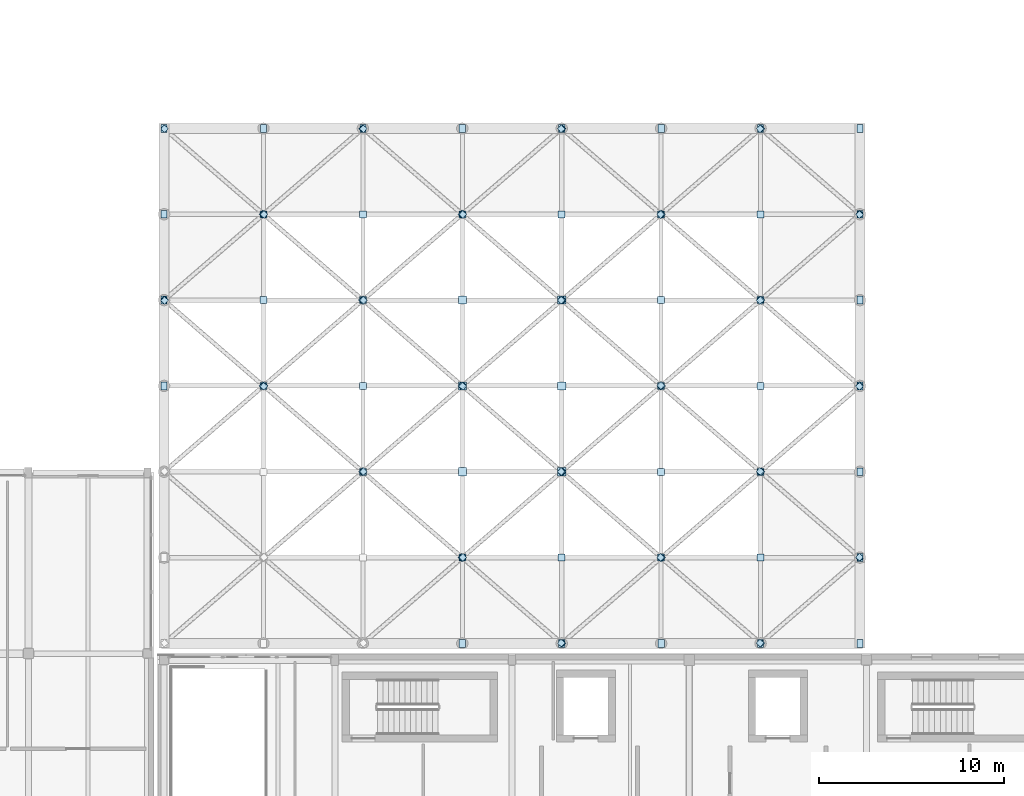
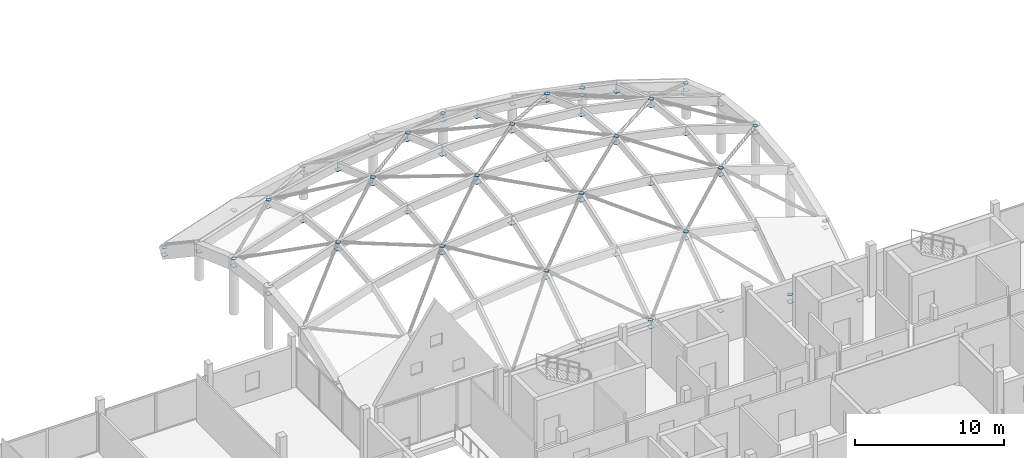
# One storey, part 21 of 41: 123 plates.
"""IFC4 building model written with IfcOpenShell, lengths in metres."""

from ifc_helpers import new_model, si_unit, direction, frame, origin, origin_2d, place, context, subcontext, project, spatial, rectangle, extrude, material, layer, layer_set, type_object, element, save


model = new_model("IFC4")

# Units and contexts
model_context = context("Model", 3, precision=1e-05, world=origin(), true_north=direction((0.0, 1.0)))
body_context = subcontext(model_context, "Body", "Model", "MODEL_VIEW")
ifc_project = project(units=[si_unit("LENGTHUNIT", "METRE"), si_unit("AREAUNIT", "SQUARE_METRE"), si_unit("VOLUMEUNIT", "CUBIC_METRE"), si_unit("PLANEANGLEUNIT", "RADIAN"), si_unit("MASSUNIT", "GRAM", prefix="KILO")], contexts=[model_context])

# Site, building, storey
site_placement = place(None, origin())
site = spatial("IfcSite", under=ifc_project, at=site_placement, CompositionType="ELEMENT")
building_placement = place(site_placement, origin())
building = spatial("IfcBuilding", under=site, at=building_placement, Name="Birchvale Park Specialist Clinic", CompositionType="ELEMENT")
storey_placement = place(building_placement, frame((0.0, 0.0, 9.60009765625)))
storey = spatial("IfcBuildingStorey", under=building, at=storey_placement, Name="L02", CompositionType="ELEMENT", Elevation=9.60009765625)

# Plates
ifc_material = material(Name="Steel ASTM A572 Grade 50", Category="steel")
ifc_layer_1 = layer(ifc_material, 0.02392578125)
ifc_layer_set_1 = layer_set([ifc_layer_1], Name="Steel ASTM A572 Grade 50")
plate_type_1 = type_object("IfcPlateType", Name="PLT-EC1", PredefinedType="USERDEFINED", material=ifc_layer_set_1)
for number, where, z_axis, x_axis, name in (
    (1, (57.510498046875, 49.078125, 6.671630859375), (0.0, 0.0, 1.0), (0.756881000713, 0.653552714599, 0.0), "V1 gridshell tube end cap 3.2"),
    (2, (57.510498046875, 49.121826171875, 6.671630859375), (0.0, 0.0, 1.0), (-0.756881000713, 0.653552714599, 0.0), "V1 gridshell tube end cap 4.1"),
    (3, (52.17529296875, 53.728271484375, 4.4111328125), (0.0, 0.0, 1.0), (-0.756881000713, 0.653552714599, 0.0), "V1 gridshell tube end cap 4.2"),
    (4, (52.176513671875, 53.77294921875, 4.401123046875), (0.0, 0.0, 1.0), (0.756881000713, 0.653552714599, 0.0), "V1 gridshell tube end cap 5.1"),
    (5, (57.50927734375, 58.377197265625, 4.523681640625), (0.0, 0.0, 1.0), (0.756881000713, 0.653552714599, 0.0), "V1 gridshell tube end cap 5.2"),
    (6, (57.513916015625, 58.4189453125, 4.504638671875), (0.0, 0.0, 1.0), (-0.756881000713, 0.653552714599, 0.0), "V1 gridshell tube end cap 6.1"),
    (7, (52.171875, 63.031005859375, -0.324462890625), (0.0, 0.0, 1.0), (-0.756881000713, 0.653552714599, 0.0), "V1 gridshell tube end cap 6.2"),
    (8, (62.896728515625, 44.4287109375, 7.293212890625), (0.0, 0.0, 1.0), (0.756881000713, 0.653552714599, 0.0), "V1 gridshell tube end cap 8.2"),
    (9, (62.89501953125, 44.472900390625, 7.302978515625), (0.0, 0.0, 1.0), (-0.756881000713, 0.653552714599, 0.0), "V1 gridshell tube end cap 9.1"),
    (10, (57.56201171875, 49.0771484375, 6.685302734375), (0.0, 0.0, 1.0), (-0.756881000713, 0.653552714599, 0.0), "V1 gridshell tube end cap 9.2"),
    (11, (57.56201171875, 49.122802734375, 6.685302734375), (0.0, 0.0, 1.0), (0.756881000713, 0.653552714599, 0.0), "V1 gridshell tube end cap 10.1"),
    (12, (62.89501953125, 53.727294921875, 7.302978515625), (0.0, 0.0, 1.0), (0.756881000713, 0.653552714599, 0.0), "V1 gridshell tube end cap 10.2"),
    (13, (62.896728515625, 53.771240234375, 7.293212890625), (0.0, 0.0, 1.0), (-0.756881000713, 0.653552714599, 0.0), "V1 gridshell tube end cap 11.1"),
    (14, (57.560302734375, 58.378662109375, 4.537109375), (0.0, 0.0, 1.0), (-0.756881000713, 0.653552714599, 0.0), "V1 gridshell tube end cap 11.2"),
    (15, (57.561279296875, 58.422119140625, 4.51513671875), (0.0, 0.0, 1.0), (0.756881000713, 0.653552714599, 0.0), "V1 gridshell tube end cap 12.1"),
    (16, (62.89599609375, 63.028076171875, 2.570556640625), (0.0, 0.0, 1.0), (0.756881000713, 0.653552714599, 0.0), "V1 gridshell tube end cap 12.2"),
    (17, (68.283447265625, 39.77978515625, 6.2119140625), (0.0, 0.0, 1.0), (0.756881000713, 0.653552714599, 0.0), "V1 gridshell tube end cap 13.2"),
    (18, (68.281005859375, 39.822509765625, 6.233154296875), (0.0, 0.0, 1.0), (-0.756881000713, 0.653552714599, 0.0), "V1 gridshell tube end cap 14.1"),
    (19, (62.947509765625, 44.427490234375, 7.30078125), (0.0, 0.0, 1.0), (-0.756881000713, 0.653552714599, 0.0), "V1 gridshell tube end cap 14.2"),
    (20, (62.947509765625, 44.47265625, 7.311279296875), (0.0, 0.0, 1.0), (0.756881000713, 0.653552714599, 0.0), "V1 gridshell tube end cap 15.1"),
    (21, (68.281005859375, 49.077392578125, 8.380615234375), (0.0, 0.0, 1.0), (0.756881000713, 0.653552714599, 0.0), "V1 gridshell tube end cap 15.2"),
    (22, (68.281005859375, 49.12255859375, 8.380615234375), (0.0, 0.0, 1.0), (-0.756881000713, 0.653552714599, 0.0), "V1 gridshell tube end cap 16.1"),
    (23, (62.947509765625, 53.727294921875, 7.311279296875), (0.0, 0.0, 1.0), (-0.756881000713, 0.653552714599, 0.0), "V1 gridshell tube end cap 16.2"),
    (24, (62.947509765625, 53.772705078125, 7.30078125), (0.0, 0.0, 1.0), (0.756881000713, 0.653552714599, 0.0), "V1 gridshell tube end cap 17.1"),
    (25, (68.281005859375, 58.37744140625, 6.233154296875), (0.0, 0.0, 1.0), (0.756881000713, 0.653552714599, 0.0), "V1 gridshell tube end cap 17.2"),
    (26, (68.283447265625, 58.42041015625, 6.2119140625), (0.0, 0.0, 1.0), (-0.756881000713, 0.653552714599, 0.0), "V1 gridshell tube end cap 18.1"),
    (27, (62.945068359375, 63.02978515625, 2.5771484375), (0.0, 0.0, 1.0), (-0.756881000713, 0.653552714599, 0.0), "V1 gridshell tube end cap 18.2"),
    (28, (73.668701171875, 35.1708984375, 3.13671875), (0.0, 0.0, 1.0), (-0.756881000713, 0.653552714599, 0.0), "V1 gridshell tube end cap 19.1"),
    (29, (68.331298828125, 39.779052734375, 6.2138671875), (0.0, 0.0, 1.0), (-0.756881000713, 0.653552714599, 0.0), "V1 gridshell tube end cap 19.2"),
    (30, (68.3330078125, 39.822265625, 6.23583984375), (0.0, 0.0, 1.0), (0.756881000713, 0.653552714599, 0.0), "V1 gridshell tube end cap 20.1"),
    (31, (73.6669921875, 44.427734375, 7.859619140625), (0.0, 0.0, 1.0), (0.756881000713, 0.653552714599, 0.0), "V1 gridshell tube end cap 20.2"),
    (32, (73.66650390625, 44.472900390625, 7.8701171875), (0.0, 0.0, 1.0), (-0.756881000713, 0.653552714599, 0.0), "V1 gridshell tube end cap 21.1"),
    (33, (68.33349609375, 49.0771484375, 8.38330078125), (0.0, 0.0, 1.0), (-0.756881000713, 0.653552714599, 0.0), "V1 gridshell tube end cap 21.2"),
    (34, (68.33349609375, 49.122802734375, 8.38330078125), (0.0, 0.0, 1.0), (0.756881000713, 0.653552714599, 0.0), "V1 gridshell tube end cap 22.1"),
    (35, (73.66650390625, 53.727294921875, 7.8701171875), (0.0, 0.0, 1.0), (0.756881000713, 0.653552714599, 0.0), "V1 gridshell tube end cap 22.2"),
    (36, (73.6669921875, 53.772216796875, 7.859619140625), (0.0, 0.0, 1.0), (-0.756881000713, 0.653552714599, 0.0), "V1 gridshell tube end cap 23.1"),
    (37, (68.3330078125, 58.377685546875, 6.23583984375), (0.0, 0.0, 1.0), (-0.756881000713, 0.653552714599, 0.0), "V1 gridshell tube end cap 23.2"),
    (38, (68.331298828125, 58.4208984375, 6.2138671875), (0.0, 0.0, 1.0), (0.756881000713, 0.653552714599, 0.0), "V1 gridshell tube end cap 24.1"),
    (39, (73.668701171875, 63.029052734375, 3.13671875), (0.0, 0.0, 1.0), (0.756881000713, 0.653552714599, 0.0), "V1 gridshell tube end cap 24.2"),
    (40, (73.718017578125, 35.17138671875, 3.134521484375), (0.0, 0.0, 1.0), (0.756881000713, 0.653552714599, 0.0), "V1 gridshell tube end cap 25.1"),
    (41, (79.0537109375, 39.778564453125, 5.654541015625), (0.0, 0.0, 1.0), (0.756881000713, 0.653552714599, 0.0), "V1 gridshell tube end cap 25.2"),
    (42, (79.05322265625, 39.822021484375, 5.6767578125), (0.0, 0.0, 1.0), (-0.756881000713, 0.653552714599, 0.0), "V1 gridshell tube end cap 26.1"),
    (43, (73.71826171875, 44.427978515625, 7.857177734375), (0.0, 0.0, 1.0), (-0.756881000713, 0.653552714599, 0.0), "V1 gridshell tube end cap 26.2"),
    (44, (73.719482421875, 44.472900390625, 7.867431640625), (0.0, 0.0, 1.0), (0.756881000713, 0.653552714599, 0.0), "V1 gridshell tube end cap 27.1"),
    (45, (79.052001953125, 49.0771484375, 7.824462890625), (0.0, 0.0, 1.0), (0.756881000713, 0.653552714599, 0.0), "V1 gridshell tube end cap 27.2"),
    (46, (79.052001953125, 49.122802734375, 7.824462890625), (0.0, 0.0, 1.0), (-0.756881000713, 0.653552714599, 0.0), "V1 gridshell tube end cap 28.1"),
    (47, (73.719482421875, 53.72705078125, 7.867431640625), (0.0, 0.0, 1.0), (-0.756881000713, 0.653552714599, 0.0), "V1 gridshell tube end cap 28.2"),
    (48, (73.71826171875, 53.77197265625, 7.857177734375), (0.0, 0.0, 1.0), (0.756881000713, 0.653552714599, 0.0), "V1 gridshell tube end cap 29.1"),
    (49, (79.05322265625, 58.378173828125, 5.6767578125), (0.0, 0.0, 1.0), (0.756881000713, 0.653552714599, 0.0), "V1 gridshell tube end cap 29.2"),
    (50, (79.0537109375, 58.42138671875, 5.654541015625), (0.0, 0.0, 1.0), (-0.756881000713, 0.653552714599, 0.0), "V1 gridshell tube end cap 30.1"),
    (51, (73.718017578125, 63.028564453125, 3.134521484375), (0.0, 0.0, 1.0), (-0.756881000713, 0.653552714599, 0.0), "V1 gridshell tube end cap 30.2"),
    (52, (84.441650390625, 35.169677734375, 1.437255859375), (0.0, 0.0, 1.0), (-0.756881000713, 0.653552714599, 0.0), "V1 gridshell tube end cap 31.1"),
    (53, (79.101318359375, 39.7802734375, 5.6484375), (0.0, 0.0, 1.0), (-0.756881000713, 0.653552714599, 0.0), "V1 gridshell tube end cap 31.2"),
    (54, (79.10498046875, 39.82275390625, 5.668701171875), (0.0, 0.0, 1.0), (0.756881000713, 0.653552714599, 0.0), "V1 gridshell tube end cap 32.1"),
    (55, (84.43798828125, 44.42724609375, 6.16162109375), (0.0, 0.0, 1.0), (0.756881000713, 0.653552714599, 0.0), "V1 gridshell tube end cap 32.2"),
    (56, (84.4384765625, 44.47216796875, 6.171875), (0.0, 0.0, 1.0), (-0.756881000713, 0.653552714599, 0.0), "V1 gridshell tube end cap 33.1"),
    (57, (79.1044921875, 49.077880859375, 7.81640625), (0.0, 0.0, 1.0), (-0.756881000713, 0.653552714599, 0.0), "V1 gridshell tube end cap 33.2"),
    (58, (79.1044921875, 49.122314453125, 7.81640625), (0.0, 0.0, 1.0), (0.756881000713, 0.653552714599, 0.0), "V1 gridshell tube end cap 34.1"),
    (59, (84.4384765625, 53.727783203125, 6.171875), (0.0, 0.0, 1.0), (0.756881000713, 0.653552714599, 0.0), "V1 gridshell tube end cap 34.2"),
    (60, (84.43798828125, 53.772705078125, 6.16162109375), (0.0, 0.0, 1.0), (-0.756881000713, 0.653552714599, 0.0), "V1 gridshell tube end cap 35.1"),
    (61, (79.10498046875, 58.377197265625, 5.668701171875), (0.0, 0.0, 1.0), (-0.756881000713, 0.653552714599, 0.0), "V1 gridshell tube end cap 35.2"),
    (62, (79.101318359375, 58.419677734375, 5.6484375), (0.0, 0.0, 1.0), (0.756881000713, 0.653552714599, 0.0), "V1 gridshell tube end cap 36.1"),
    (63, (84.441650390625, 63.0302734375, 1.437255859375), (0.0, 0.0, 1.0), (0.756881000713, 0.653552714599, 0.0), "V1 gridshell tube end cap 36.2"),
    (64, (84.490478515625, 35.172607421875, 1.425537109375), (0.0, 0.0, 1.0), (0.756881000713, 0.653552714599, 0.0), "V1 gridshell tube end cap 37.1"),
    (65, (89.823974609375, 39.777587890625, 2.75439453125), (0.0, 0.0, 1.0), (0.756881000713, 0.653552714599, 0.0), "V1 gridshell tube end cap 37.2"),
    (66, (89.826171875, 39.820556640625, 2.77587890625), (0.0, 0.0, 1.0), (-0.756881000713, 0.653552714599, 0.0), "V1 gridshell tube end cap 38.1"),
    (67, (84.48828125, 44.429443359375, 6.14892578125), (0.0, 0.0, 1.0), (-0.756881000713, 0.653552714599, 0.0), "V1 gridshell tube end cap 38.2"),
    (68, (84.490478515625, 44.47265625, 6.157958984375), (0.0, 0.0, 1.0), (0.756881000713, 0.653552714599, 0.0), "V1 gridshell tube end cap 39.1"),
    (69, (89.823974609375, 49.077392578125, 4.925048828125), (0.0, 0.0, 1.0), (0.756881000713, 0.653552714599, 0.0), "V1 gridshell tube end cap 39.2"),
    (70, (89.823974609375, 49.12255859375, 4.925048828125), (0.0, 0.0, 1.0), (-0.756881000713, 0.653552714599, 0.0), "V1 gridshell tube end cap 40.1"),
    (71, (84.490478515625, 53.727294921875, 6.157958984375), (0.0, 0.0, 1.0), (-0.756881000713, 0.653552714599, 0.0), "V1 gridshell tube end cap 40.2"),
    (72, (84.48828125, 53.7705078125, 6.14892578125), (0.0, 0.0, 1.0), (0.756881000713, 0.653552714599, 0.0), "V1 gridshell tube end cap 41.1"),
    (73, (89.826171875, 58.37939453125, 2.77587890625), (0.0, 0.0, 1.0), (0.756881000713, 0.653552714599, 0.0), "V1 gridshell tube end cap 41.2"),
    (74, (89.823974609375, 58.422607421875, 2.75439453125), (0.0, 0.0, 1.0), (-0.756881000713, 0.653552714599, 0.0), "V1 gridshell tube end cap 42.1"),
    (75, (84.490478515625, 63.027587890625, 1.425537109375), (0.0, 0.0, 1.0), (-0.756881000713, 0.653552714599, 0.0), "V1 gridshell tube end cap 42.2"),
):
    element("IfcPlate", number, at=place(storey_placement, frame(where, z_axis=z_axis, x_axis=x_axis)), inside=storey, type_object=plate_type_1, Name=name, ObjectType="BASE_PLATE", PredefinedType="USERDEFINED", context=body_context, shape_type="SweptSolid", body=[
        extrude(rectangle(XDim=0.300048828125, YDim=0.300048828125, at=origin_2d()), origin(), (0.0, 0.0, 1.0), 0.02392578125),
    ])
ifc_layer_2 = layer(ifc_material, 0.02490234375)
ifc_layer_set_2 = layer_set([ifc_layer_2], Name="Steel ASTM A572 Grade 50")
plate_type_2 = type_object("IfcPlateType", Name="PLT-GN1", PredefinedType="USERDEFINED", material=ifc_layer_set_2)
for number, where, z_axis, x_axis, name in (
    (76, (68.30712890625, 44.449951171875, 7.3017578125), (0.0, 0.0, 1.0), (1.0, 0.0, 0.0), "V1 gridshell steel node plate 24"),
    (77, (68.30712890625, 49.10009765625, 7.820068359375), (0.0, 0.0, 1.0), (1.0, 0.0, 0.0), "V1 gridshell steel node plate 25"),
    (78, (68.30712890625, 53.75, 7.3017578125), (0.0, 0.0, 1.0), (1.0, 0.0, 0.0), "V1 gridshell steel node plate 26"),
    (79, (73.69287109375, 44.449951171875, 7.3017578125), (0.0, 0.0, 1.0), (1.0, 0.0, 0.0), "V1 gridshell steel node plate 31"),
    (80, (73.69287109375, 49.10009765625, 7.820068359375), (0.0, 0.0, 1.0), (1.0, 0.0, 0.0), "V1 gridshell steel node plate 32"),
    (81, (73.69287109375, 53.75, 7.3017578125), (0.0, 0.0, 1.0), (1.0, 0.0, 0.0), "V1 gridshell steel node plate 33"),
):
    element("IfcPlate", number, at=place(storey_placement, frame(where, z_axis=z_axis, x_axis=x_axis)), inside=storey, type_object=plate_type_2, Name=name, ObjectType="GUSSET_PLATE", PredefinedType="USERDEFINED", context=body_context, shape_type="SweptSolid", body=[
        extrude(rectangle(XDim=0.43994140625, YDim=0.43994140625, at=origin_2d()), origin(), (0.0, 0.0, 1.0), 0.02490234375),
    ])
ifc_layer_3 = layer(ifc_material, 0.02490234375)
ifc_layer_set_3 = layer_set([ifc_layer_3], Name="Steel ASTM A572 Grade 50")
plate_type_3 = type_object("IfcPlateType", Name="PLT-GN2", PredefinedType="USERDEFINED", material=ifc_layer_set_3)
for number, where, z_axis, x_axis, name in (
    (82, (57.53564453125, 49.10009765625, 6.116455078125), (0.0, 0.0, 1.0), (1.0, 0.0, 0.0), "V1 gridshell steel node plate 11"),
    (83, (57.53564453125, 53.75, 5.59814453125), (0.0, 0.0, 1.0), (1.0, 0.0, 0.0), "V1 gridshell steel node plate 12"),
    (84, (57.53564453125, 58.39990234375, 3.958740234375), (0.0, 0.0, 1.0), (1.0, 0.0, 0.0), "V1 gridshell steel node plate 13"),
    (85, (62.92138671875, 44.449951171875, 6.740234375), (0.0, 0.0, 1.0), (1.0, 0.0, 0.0), "V1 gridshell steel node plate 17"),
    (86, (62.92138671875, 49.10009765625, 7.258544921875), (0.0, 0.0, 1.0), (1.0, 0.0, 0.0), "V1 gridshell steel node plate 18"),
    (87, (62.92138671875, 53.75, 6.740234375), (0.0, 0.0, 1.0), (1.0, 0.0, 0.0), "V1 gridshell steel node plate 19"),
    (88, (62.92138671875, 58.39990234375, 5.1005859375), (0.0, 0.0, 1.0), (1.0, 0.0, 0.0), "V1 gridshell steel node plate 20"),
    (89, (68.30712890625, 39.800048828125, 5.662353515625), (0.0, 0.0, 1.0), (1.0, 0.0, 0.0), "V1 gridshell steel node plate 23"),
    (90, (68.30712890625, 58.39990234375, 5.662353515625), (0.0, 0.0, 1.0), (1.0, 0.0, 0.0), "V1 gridshell steel node plate 27"),
    (91, (73.69287109375, 39.800048828125, 5.662353515625), (0.0, 0.0, 1.0), (1.0, 0.0, 0.0), "V1 gridshell steel node plate 30"),
    (92, (73.69287109375, 58.39990234375, 5.662353515625), (0.0, 0.0, 1.0), (1.0, 0.0, 0.0), "V1 gridshell steel node plate 34"),
    (93, (79.07861328125, 39.800048828125, 5.1005859375), (0.0, 0.0, 1.0), (1.0, 0.0, 0.0), "V1 gridshell steel node plate 37"),
    (94, (79.07861328125, 44.449951171875, 6.740234375), (0.0, 0.0, 1.0), (1.0, 0.0, 0.0), "V1 gridshell steel node plate 38"),
    (95, (79.07861328125, 49.10009765625, 7.258544921875), (0.0, 0.0, 1.0), (1.0, 0.0, 0.0), "V1 gridshell steel node plate 39"),
    (96, (79.07861328125, 53.75, 6.740234375), (0.0, 0.0, 1.0), (1.0, 0.0, 0.0), "V1 gridshell steel node plate 40"),
    (97, (79.07861328125, 58.39990234375, 5.1005859375), (0.0, 0.0, 1.0), (1.0, 0.0, 0.0), "V1 gridshell steel node plate 41"),
    (98, (84.46435546875, 39.800048828125, 3.958740234375), (0.0, 0.0, 1.0), (1.0, 0.0, 0.0), "V1 gridshell steel node plate 44"),
    (99, (84.46435546875, 44.449951171875, 5.59814453125), (0.0, 0.0, 1.0), (1.0, 0.0, 0.0), "V1 gridshell steel node plate 45"),
    (100, (84.46435546875, 49.10009765625, 6.116455078125), (0.0, 0.0, 1.0), (1.0, 0.0, 0.0), "V1 gridshell steel node plate 46"),
    (101, (84.46435546875, 53.75, 5.59814453125), (0.0, 0.0, 1.0), (1.0, 0.0, 0.0), "V1 gridshell steel node plate 47"),
    (102, (84.46435546875, 58.39990234375, 3.958740234375), (0.0, 0.0, 1.0), (1.0, 0.0, 0.0), "V1 gridshell steel node plate 48"),
):
    element("IfcPlate", number, at=place(storey_placement, frame(where, z_axis=z_axis, x_axis=x_axis)), inside=storey, type_object=plate_type_3, Name=name, ObjectType="GUSSET_PLATE", PredefinedType="USERDEFINED", context=body_context, shape_type="SweptSolid", body=[
        extrude(rectangle(XDim=0.3798828125, YDim=0.3798828125, at=origin_2d()), origin(), (0.0, 0.0, 1.0), 0.02490234375),
    ])
ifc_layer_4 = layer(ifc_material, 0.02490234375)
ifc_layer_set_4 = layer_set([ifc_layer_4], Name="Steel ASTM A572 Grade 50")
plate_type_4 = type_object("IfcPlateType", Name="PLT-GN3", PredefinedType="USERDEFINED", material=ifc_layer_set_4)
for number, where, z_axis, x_axis, name in (
    (103, (52.14990234375, 49.10009765625, 4.353271484375), (0.0, 0.0, 1.0), (1.0, 0.0, 0.0), "V1 gridshell steel node plate 4"),
    (104, (52.14990234375, 53.75, 3.8349609375), (0.0, 0.0, 1.0), (1.0, 0.0, 0.0), "V1 gridshell steel node plate 5"),
    (105, (52.14990234375, 58.39990234375, 2.195068359375), (0.0, 0.0, 1.0), (1.0, 0.0, 0.0), "V1 gridshell steel node plate 6"),
    (106, (52.14990234375, 63.050048828125, -0.91015625), (0.0, 0.0, 1.0), (1.0, 0.0, 0.0), "V1 gridshell steel node plate 7"),
    (107, (57.53564453125, 63.050048828125, 0.853515625), (0.0, 0.0, 1.0), (1.0, 0.0, 0.0), "V1 gridshell steel node plate 14"),
    (108, (62.92138671875, 63.050048828125, 1.995361328125), (0.0, 0.0, 1.0), (1.0, 0.0, 0.0), "V1 gridshell steel node plate 21"),
    (109, (68.30712890625, 35.14990234375, 2.55712890625), (0.0, 0.0, 1.0), (1.0, 0.0, 0.0), "V1 gridshell steel node plate 22"),
    (110, (68.30712890625, 63.050048828125, 2.55712890625), (0.0, 0.0, 1.0), (1.0, 0.0, 0.0), "V1 gridshell steel node plate 28"),
    (111, (73.69287109375, 35.14990234375, 2.55712890625), (0.0, 0.0, 1.0), (1.0, 0.0, 0.0), "V1 gridshell steel node plate 29"),
    (112, (73.69287109375, 63.050048828125, 2.55712890625), (0.0, 0.0, 1.0), (1.0, 0.0, 0.0), "V1 gridshell steel node plate 35"),
    (113, (79.07861328125, 35.14990234375, 1.995361328125), (0.0, 0.0, 1.0), (1.0, 0.0, 0.0), "V1 gridshell steel node plate 36"),
    (114, (79.07861328125, 63.050048828125, 1.995361328125), (0.0, 0.0, 1.0), (1.0, 0.0, 0.0), "V1 gridshell steel node plate 42"),
    (115, (84.46435546875, 35.14990234375, 0.853515625), (0.0, 0.0, 1.0), (1.0, 0.0, 0.0), "V1 gridshell steel node plate 43"),
    (116, (84.46435546875, 63.050048828125, 0.853515625), (0.0, 0.0, 1.0), (1.0, 0.0, 0.0), "V1 gridshell steel node plate 49"),
    (117, (89.85009765625, 35.14990234375, -0.91015625), (0.0, 0.0, 1.0), (1.0, 0.0, 0.0), "V1 gridshell steel node plate 50"),
    (118, (89.85009765625, 39.800048828125, 2.195068359375), (0.0, 0.0, 1.0), (1.0, 0.0, 0.0), "V1 gridshell steel node plate 51"),
    (119, (89.85009765625, 44.449951171875, 3.8349609375), (0.0, 0.0, 1.0), (1.0, 0.0, 0.0), "V1 gridshell steel node plate 52"),
    (120, (89.85009765625, 49.10009765625, 4.353271484375), (0.0, 0.0, 1.0), (1.0, 0.0, 0.0), "V1 gridshell steel node plate 53"),
    (121, (89.85009765625, 53.75, 3.8349609375), (0.0, 0.0, 1.0), (1.0, 0.0, 0.0), "V1 gridshell steel node plate 54"),
    (122, (89.85009765625, 58.39990234375, 2.195068359375), (0.0, 0.0, 1.0), (1.0, 0.0, 0.0), "V1 gridshell steel node plate 55"),
    (123, (89.85009765625, 63.050048828125, -0.91015625), (0.0, 0.0, 1.0), (1.0, 0.0, 0.0), "V1 gridshell steel node plate 56"),
):
    element("IfcPlate", number, at=place(storey_placement, frame(where, z_axis=z_axis, x_axis=x_axis)), inside=storey, type_object=plate_type_4, Name=name, ObjectType="GUSSET_PLATE", PredefinedType="USERDEFINED", context=body_context, shape_type="SweptSolid", body=[
        extrude(rectangle(XDim=0.340087890625, YDim=0.419921875, at=origin_2d()), origin(), (0.0, 0.0, 1.0), 0.02490234375),
    ])

save(model, "model.ifc")
